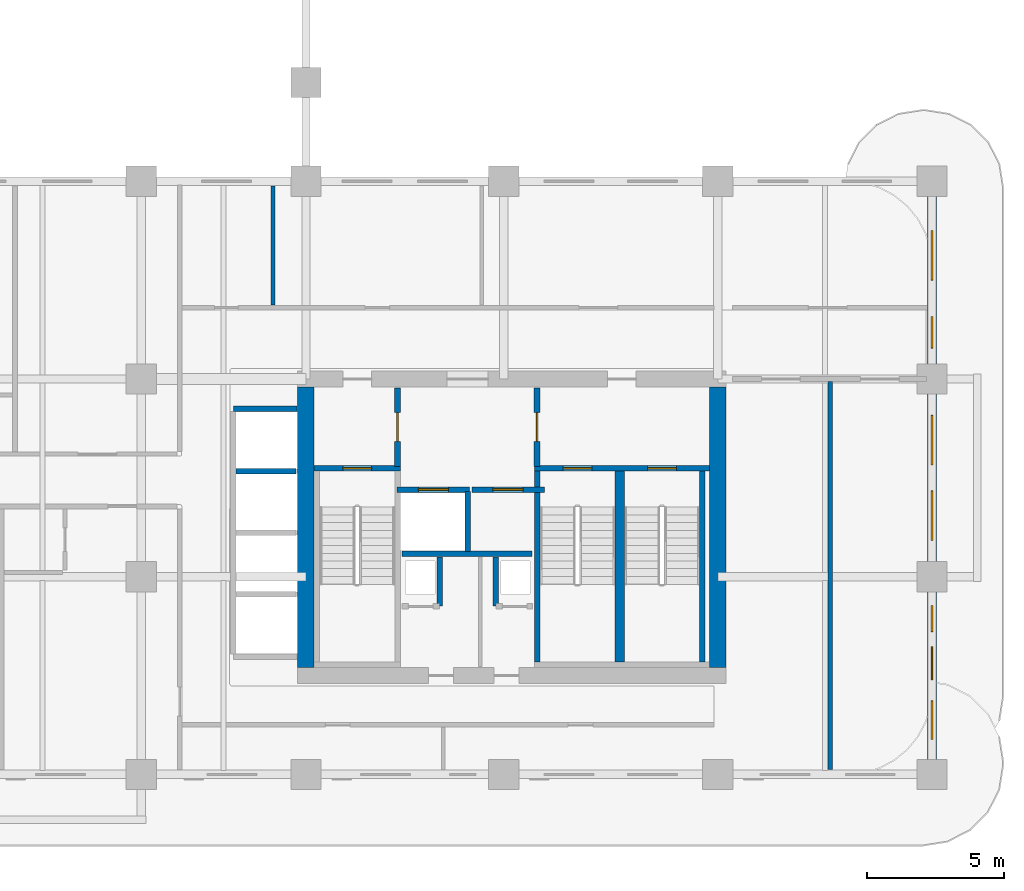
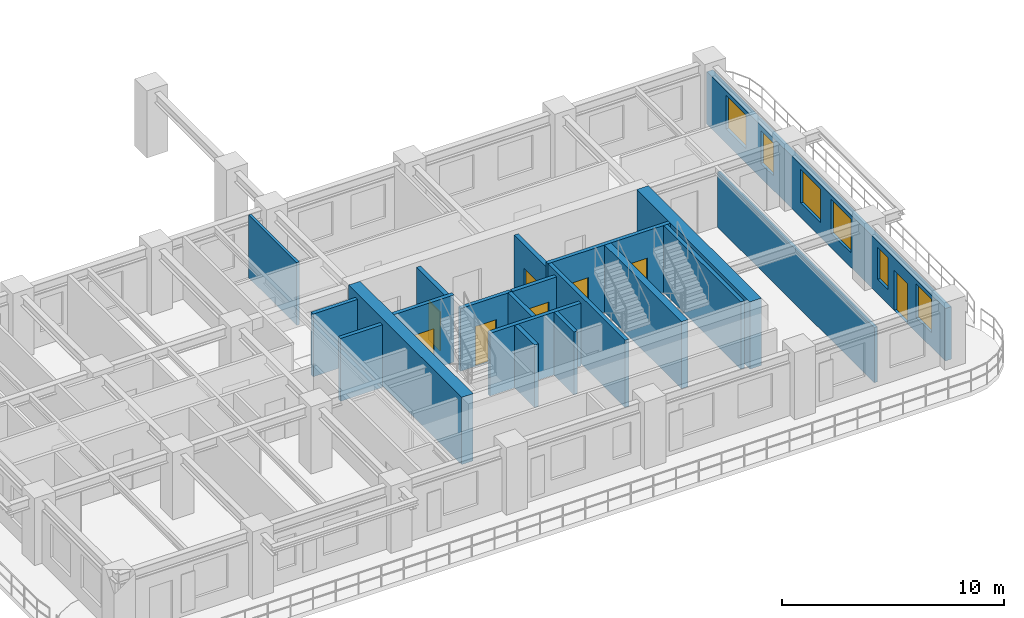
# One storey, part 9 of 19: 20 walls, 8 doors, 6 windows, 14 openings.
"""IFC4 building model written with IfcOpenShell, lengths in metres."""

from ifc_helpers import new_model, si_unit, derived_unit, direction, frame, frame_2d, origin, place, context, subcontext, project, spatial, rectangle, extrude, source, transform, mapped, material, layer, layer_set, type_object, type_shapes, element, fill, save


model = new_model("IFC4")

# Units and contexts
model_context = context("Model", 3, precision=1e-05, world=origin(), true_north=direction((0.0, 1.0)))
body_context = subcontext(model_context, "Body", "Model", "MODEL_VIEW")
ifc_project = project(units=[si_unit("LENGTHUNIT", "METRE"), si_unit("AREAUNIT", "SQUARE_METRE"), si_unit("VOLUMEUNIT", "CUBIC_METRE"), si_unit("PLANEANGLEUNIT", "RADIAN"), si_unit("MASSUNIT", "GRAM", prefix="KILO"), si_unit("THERMODYNAMICTEMPERATUREUNIT", "KELVIN"), si_unit("POWERUNIT", "WATT"), derived_unit("THERMALTRANSMITTANCEUNIT", [(si_unit("POWERUNIT", "WATT"), 1), (si_unit("AREAUNIT", "SQUARE_METRE"), -1), (si_unit("THERMODYNAMICTEMPERATUREUNIT", "KELVIN"), -1)])], contexts=[model_context])

# Site, building, storey
site_placement = place(None, origin())
site = spatial("IfcSite", under=ifc_project, at=site_placement, CompositionType="ELEMENT")
building_placement = place(site_placement, origin())
building = spatial("IfcBuilding", under=site, at=building_placement, Name="Zahravan Archway Hotel and Residences", CompositionType="ELEMENT")
storey_placement = place(building_placement, frame((0.0, 0.0, 39.800048828125)))
storey = spatial("IfcBuildingStorey", under=building, at=storey_placement, Name="L08", CompositionType="ELEMENT", Elevation=39.800048828125)

# Walls
ifc_material_1 = material(Name="Concrete C70/85", Category="concrete")
ifc_layer_1 = layer(ifc_material_1, 0.60009765625, Name="Concrete C70/85", Category="concrete")
ifc_layer_set_1 = layer_set([ifc_layer_1], Name="Concrete C70/85")
wall_type_1 = type_object("IfcWallType", Name="CW-CORE-600", PredefinedType="SHEAR", material=ifc_layer_set_1)
for number, where, z_axis, x_axis, name in (
    (1, (34.800048828125, 3.89990234375, 0.0), (0.0, 0.0, 1.0), (0.0, 1.0, 0.0), "L08 Core A Shear W Wall 600 mm"),
    (2, (49.800048828125, 3.89990234375, 0.0), (0.0, 0.0, 1.0), (0.0, 1.0, 0.0), "L08 Core A Shear E Wall 600 mm"),
):
    element("IfcWall", number, at=place(storey_placement, frame(where, z_axis=z_axis, x_axis=x_axis)), inside=storey, type_object=wall_type_1, Name=name, PredefinedType="SHEAR", context=body_context, shape_type="SweptSolid", body=[
        extrude(rectangle(XDim=10.2001953125, YDim=0.60009765625, at=frame_2d((5.10009765625, 0.0))), origin(), (0.0, 0.0, 1.0), 3.699951171875),
    ])

# Wall, openings, door, windows
ifc_material_2 = material(Name="Agra Buff Sandstone & Insulated Backup", Category="masonry")
ifc_layer_2 = layer(ifc_material_2, 0.320068359375, Name="Agra Buff Sandstone & Insulated Backup", Category="masonry")
ifc_layer_set_2 = layer_set([ifc_layer_2], Name="Agra Buff Sandstone & Insulated Backup")
wall_type_2 = type_object("IfcWallType", Name="EW-SAND-320", PredefinedType="SOLIDWALL", material=ifc_layer_set_2)
wall_1_placement = place(storey_placement, frame((57.60009765625, 0.050048828125, 0.0), z_axis=(0.0, 0.0, 1.0), x_axis=(0.0, 1.0, 0.0)))
wall_1 = element("IfcWall", 3, at=wall_1_placement, inside=storey, type_object=wall_type_2, Name="L08 Exterior Sandstone Wall WA-E", PredefinedType="SOLIDWALL", context=body_context, shape_type="SweptSolid", body=[
    extrude(rectangle(XDim=21.5, YDim=0.320068359375, at=frame_2d((10.75, 0.0))), origin(), (0.0, 0.0, 1.0), 2.885009765625),
])
opening_1_placement = place(wall_1_placement, frame((3.39990234375, 0.0, 0.0)))
opening_1 = element("IfcOpeningElement", 4, at=opening_1_placement, cuts=wall_1, Name="Opening ED-BL1", PredefinedType="OPENING", context=body_context, shape_type="SweptSolid", body=[
    extrude(rectangle(XDim=1.199951171875, YDim=2.199951171875, at=frame_2d((0.60009765625, 1.10009765625))), frame((0.0, 0.169921875, 0.0), z_axis=(0.0, -1.0, 0.0), x_axis=(1.0, 0.0, 0.0)), (0.0, 0.0, 1.0), 0.340087890625),
])
opening_2_placement = place(wall_1_placement, frame((1.22509765625, 0.0, 0.800048828125)))
opening_2 = element("IfcOpeningElement", 5, at=opening_2_placement, cuts=wall_1, Name="Opening W-03", PredefinedType="OPENING", context=body_context, shape_type="SweptSolid", body=[
    extrude(rectangle(XDim=1.39990234375, YDim=1.85009765625, at=frame_2d((0.699951171875, 0.925048828125))), frame((0.0, 0.169921875, 0.0), z_axis=(0.0, -1.0, 0.0), x_axis=(1.0, 0.0, 0.0)), (0.0, 0.0, 1.0), 0.340087890625),
])
opening_3_placement = place(wall_1_placement, frame((5.14990234375, 0.0, 0.800048828125)))
opening_3 = element("IfcOpeningElement", 6, at=opening_3_placement, cuts=wall_1, Name="Opening W-04", PredefinedType="OPENING", context=body_context, shape_type="SweptSolid", body=[
    extrude(rectangle(XDim=0.949951171875, YDim=1.75, at=frame_2d((0.47509765625, 0.875))), frame((0.0, 0.169921875, 0.0), z_axis=(0.0, -1.0, 0.0), x_axis=(1.0, 0.0, 0.0)), (0.0, 0.0, 1.0), 0.340087890625),
])
opening_4_placement = place(wall_1_placement, frame((8.47509765625, 0.0, 0.800048828125)))
opening_4 = element("IfcOpeningElement", 7, at=opening_4_placement, cuts=wall_1, Name="Opening W-02", PredefinedType="OPENING", context=body_context, shape_type="SweptSolid", body=[
    extrude(rectangle(XDim=1.800048828125, YDim=1.85009765625, at=frame_2d((0.89990234375, 0.925048828125))), frame((0.0, 0.169921875, 0.0), z_axis=(0.0, -1.0, 0.0), x_axis=(1.0, 0.0, 0.0)), (0.0, 0.0, 1.0), 0.340087890625),
])
opening_5_placement = place(wall_1_placement, frame((11.22509765625, 0.0, 0.800048828125)))
opening_5 = element("IfcOpeningElement", 8, at=opening_5_placement, cuts=wall_1, Name="Opening W-02", PredefinedType="OPENING", context=body_context, shape_type="SweptSolid", body=[
    extrude(rectangle(XDim=1.800048828125, YDim=1.85009765625, at=frame_2d((0.89990234375, 0.925048828125))), frame((0.0, 0.169921875, 0.0), z_axis=(0.0, -1.0, 0.0), x_axis=(1.0, 0.0, 0.0)), (0.0, 0.0, 1.0), 0.340087890625),
])
opening_6_placement = place(wall_1_placement, frame((15.470947265625, 0.0, 0.800048828125)))
opening_6 = element("IfcOpeningElement", 9, at=opening_6_placement, cuts=wall_1, Name="Opening W-05", PredefinedType="OPENING", context=body_context, shape_type="SweptSolid", body=[
    extrude(rectangle(XDim=1.14990234375, YDim=1.800048828125, at=frame_2d((0.574951171875, 0.89990234375))), frame((0.0, 0.169921875, 0.0), z_axis=(0.0, -1.0, 0.0), x_axis=(1.0, 0.0, 0.0)), (0.0, 0.0, 1.0), 0.340087890625),
])
opening_7_placement = place(wall_1_placement, frame((17.9541015625, 0.0, 0.800048828125)))
opening_7 = element("IfcOpeningElement", 10, at=opening_7_placement, cuts=wall_1, Name="Opening W-02", PredefinedType="OPENING", context=body_context, shape_type="SweptSolid", body=[
    extrude(rectangle(XDim=1.800048828125, YDim=1.85009765625, at=frame_2d((0.89990234375, 0.925048828125))), frame((0.0, 0.169921875, 0.0), z_axis=(0.0, -1.0, 0.0), x_axis=(1.0, 0.0, 0.0)), (0.0, 0.0, 1.0), 0.340087890625),
])
ifc_material_3 = material(Name="Bronze-Anodized Glazed Aluminium", Category="aluminium")
door_type_1 = type_object("IfcDoorType", Name="ED-BALC-1200", OperationType="SLIDING_TO_LEFT", PredefinedType="DOOR", material=ifc_material_3)
shared_shape_1 = source(origin(), body_context, "Body", "SweptSolid", [
    extrude(rectangle(XDim=1.199951171875, YDim=2.199951171875, at=frame_2d((0.60009765625, 1.10009765625))), frame((0.0, 0.02490234375, 0.0), z_axis=(0.0, -1.0, 0.0), x_axis=(1.0, 0.0, 0.0)), (0.0, 0.0, 1.0), 0.050048828125),
])
type_shapes(door_type_1, [shared_shape_1])
door_1_placement = place(opening_1_placement, origin())
door_1 = element("IfcDoor", 11, at=door_1_placement, inside=storey, type_object=door_type_1, Name="L08 Outdoor Access Sliding Door (SLB-BAL-L08-EA)", OperationType="SLIDING_TO_LEFT", OverallHeight=2.199951171875, OverallWidth=1.199951171875, PredefinedType="DOOR", context=body_context, shape_type="MappedRepresentation", body=[
    mapped(shared_shape_1, transform((0.0, 0.0, 0.0), scale=1.0)),
])
fill(opening_1, door_1)
ifc_material_4 = material(Name="Bronze-Anodized Thermal-Break Aluminium & Low-E Glass", Category="aluminium")
window_type_1 = type_object("IfcWindowType", Name="WIN-TWR-1400", PartitioningType="SINGLE_PANEL", PredefinedType="WINDOW", material=ifc_material_4)
shared_shape_2 = source(origin(), body_context, "Body", "SweptSolid", [
    extrude(rectangle(XDim=1.39990234375, YDim=1.85009765625, at=frame_2d((0.699951171875, 0.925048828125))), frame((0.0, 0.030029296875, 0.0), z_axis=(0.0, -1.0, 0.0), x_axis=(1.0, 0.0, 0.0)), (0.0, 0.0, 1.0), 0.06005859375),
])
type_shapes(window_type_1, [shared_shape_2])
window_1_placement = place(opening_2_placement, origin())
window_1 = element("IfcWindow", 12, at=window_1_placement, inside=storey, type_object=window_type_1, Name="L08 Loggia Window 11", OverallHeight=1.85009765625, OverallWidth=1.39990234375, PartitioningType="SINGLE_PANEL", PredefinedType="WINDOW", context=body_context, shape_type="MappedRepresentation", body=[
    mapped(shared_shape_2, transform((0.0, 0.0, 0.0), scale=1.0)),
])
fill(opening_2, window_1)
window_type_2 = type_object("IfcWindowType", Name="WIN-NAR-950", PartitioningType="SINGLE_PANEL", PredefinedType="WINDOW", material=ifc_material_4)
shared_shape_3 = source(origin(), body_context, "Body", "SweptSolid", [
    extrude(rectangle(XDim=0.949951171875, YDim=1.75, at=frame_2d((0.47509765625, 0.875))), frame((0.0, 0.030029296875, 0.0), z_axis=(0.0, -1.0, 0.0), x_axis=(1.0, 0.0, 0.0)), (0.0, 0.0, 1.0), 0.06005859375),
])
type_shapes(window_type_2, [shared_shape_3])
window_2_placement = place(opening_3_placement, origin())
window_2 = element("IfcWindow", 13, at=window_2_placement, inside=storey, type_object=window_type_2, Name="L08 Loggia Window 12", OverallHeight=1.75, OverallWidth=0.949951171875, PartitioningType="SINGLE_PANEL", PredefinedType="WINDOW", context=body_context, shape_type="MappedRepresentation", body=[
    mapped(shared_shape_3, transform((0.0, 0.0, 0.0), scale=1.0)),
])
fill(opening_3, window_2)
window_type_3 = type_object("IfcWindowType", Name="WIN-TWR-1800", PartitioningType="DOUBLE_PANEL_VERTICAL", PredefinedType="WINDOW", material=ifc_material_4)
shared_shape_4 = source(origin(), body_context, "Body", "SweptSolid", [
    extrude(rectangle(XDim=1.800048828125, YDim=1.85009765625, at=frame_2d((0.89990234375, 0.925048828125))), frame((0.0, 0.030029296875, 0.0), z_axis=(0.0, -1.0, 0.0), x_axis=(1.0, 0.0, 0.0)), (0.0, 0.0, 1.0), 0.06005859375),
])
type_shapes(window_type_3, [shared_shape_4])
window_3_placement = place(opening_4_placement, origin())
window_3 = element("IfcWindow", 14, at=window_3_placement, inside=storey, type_object=window_type_3, Name="L08 Loggia Window 13", OverallHeight=1.85009765625, OverallWidth=1.800048828125, PartitioningType="DOUBLE_PANEL_VERTICAL", PredefinedType="WINDOW", context=body_context, shape_type="MappedRepresentation", body=[
    mapped(shared_shape_4, transform((0.0, 0.0, 0.0), scale=1.0)),
])
fill(opening_4, window_3)
window_4_placement = place(opening_5_placement, origin())
window_4 = element("IfcWindow", 15, at=window_4_placement, inside=storey, type_object=window_type_3, Name="L08 Loggia Window 14", OverallHeight=1.85009765625, OverallWidth=1.800048828125, PartitioningType="DOUBLE_PANEL_VERTICAL", PredefinedType="WINDOW", context=body_context, shape_type="MappedRepresentation", body=[
    mapped(shared_shape_4, transform((0.0, 0.0, 0.0), scale=1.0)),
])
fill(opening_5, window_4)
window_5_placement = place(opening_7_placement, origin())
window_5 = element("IfcWindow", 16, at=window_5_placement, inside=storey, type_object=window_type_3, Name="L08 Loggia Window 16", OverallHeight=1.85009765625, OverallWidth=1.800048828125, PartitioningType="DOUBLE_PANEL_VERTICAL", PredefinedType="WINDOW", context=body_context, shape_type="MappedRepresentation", body=[
    mapped(shared_shape_4, transform((0.0, 0.0, 0.0), scale=1.0)),
])
fill(opening_7, window_5)
window_type_4 = type_object("IfcWindowType", Name="WIN-TWR-1150", PartitioningType="SINGLE_PANEL", PredefinedType="WINDOW", material=ifc_material_4)
shared_shape_5 = source(origin(), body_context, "Body", "SweptSolid", [
    extrude(rectangle(XDim=1.14990234375, YDim=1.800048828125, at=frame_2d((0.574951171875, 0.89990234375))), frame((0.0, 0.030029296875, 0.0), z_axis=(0.0, -1.0, 0.0), x_axis=(1.0, 0.0, 0.0)), (0.0, 0.0, 1.0), 0.06005859375),
])
type_shapes(window_type_4, [shared_shape_5])
window_6_placement = place(opening_6_placement, origin())
window_6 = element("IfcWindow", 17, at=window_6_placement, inside=storey, type_object=window_type_4, Name="L08 Loggia Window 15", OverallHeight=1.800048828125, OverallWidth=1.14990234375, PartitioningType="SINGLE_PANEL", PredefinedType="WINDOW", context=body_context, shape_type="MappedRepresentation", body=[
    mapped(shared_shape_5, transform((0.0, 0.0, 0.0), scale=1.0)),
])
fill(opening_6, window_6)

# Wall, opening, door
ifc_material_5 = material(Name="Fire-Rated Gypsum & Concrete Block", Category="concrete")
ifc_layer_3 = layer(ifc_material_5, 0.219970703125, Name="Fire-Rated Gypsum & Concrete Block", Category="concrete")
ifc_layer_set_3 = layer_set([ifc_layer_3], Name="Fire-Rated Gypsum & Concrete Block")
wall_type_3 = type_object("IfcWallType", Name="PW-COMP-220", PredefinedType="PARTITIONING", material=ifc_layer_set_3)
wall_2_placement = place(storey_placement, frame((38.139892578125, 11.219970703125, 0.0), z_axis=(0.0, 0.0, 1.0), x_axis=(0.0, 1.0, 0.0)))
wall_2 = element("IfcWall", 18, at=wall_2_placement, inside=storey, type_object=wall_type_3, Name="L08 Partition CA-LOBW", PredefinedType="PARTITIONING", context=body_context, shape_type="SweptSolid", body=[
    extrude(rectangle(XDim=2.860107421875, YDim=0.219970703125, at=frame_2d((1.43017578125, 0.0))), origin(), (0.0, 0.0, 1.0), 3.449951171875),
])
opening_8_placement = place(wall_2_placement, frame((0.905029296875, 0.0, 0.0)))
opening_8 = element("IfcOpeningElement", 19, at=opening_8_placement, cuts=wall_2, Name="Opening FD-L2", PredefinedType="OPENING", context=body_context, shape_type="SweptSolid", body=[
    extrude(rectangle(XDim=1.050048828125, YDim=2.14990234375, at=frame_2d((0.52490234375, 1.074951171875))), frame((0.0, 0.1201171875, 0.0), z_axis=(0.0, -1.0, 0.0), x_axis=(1.0, 0.0, 0.0)), (0.0, 0.0, 1.0), 0.239990234375),
])
ifc_material_6 = material(Name="Fire-Rated Painted Steel", Category="steel")
door_type_2 = type_object("IfcDoorType", Name="FD-LOBBY-1100", OperationType="NOTDEFINED", PredefinedType="DOOR", material=ifc_material_6)
shared_shape_6 = source(origin(), body_context, "Body", "SweptSolid", [
    extrude(rectangle(XDim=1.050048828125, YDim=2.14990234375, at=frame_2d((0.52490234375, 1.074951171875))), frame((0.0, 0.02490234375, 0.0), z_axis=(0.0, -1.0, 0.0), x_axis=(1.0, 0.0, 0.0)), (0.0, 0.0, 1.0), 0.050048828125),
])
type_shapes(door_type_2, [shared_shape_6])
door_2_placement = place(opening_8_placement, origin())
door_2 = element("IfcDoor", 20, at=door_2_placement, inside=storey, type_object=door_type_2, Name="L08 Core A West Stair to FSAE Lobby Door", OperationType="SINGLE_SWING_RIGHT", OverallHeight=2.14990234375, OverallWidth=1.050048828125, PredefinedType="DOOR", context=body_context, shape_type="MappedRepresentation", body=[
    mapped(shared_shape_6, transform((0.0, 0.0, 0.0), scale=1.0)),
])
fill(opening_8, door_2)

wall_3_placement = place(storey_placement, frame((43.219970703125, 11.219970703125, 0.0), z_axis=(0.0, 0.0, 1.0), x_axis=(0.0, 1.0, 0.0)))
wall_3 = element("IfcWall", 21, at=wall_3_placement, inside=storey, type_object=wall_type_3, Name="L08 Partition CA-LOBE", PredefinedType="PARTITIONING", context=body_context, shape_type="SweptSolid", body=[
    extrude(rectangle(XDim=2.860107421875, YDim=0.219970703125, at=frame_2d((1.43017578125, 0.0))), origin(), (0.0, 0.0, 1.0), 3.449951171875),
])
opening_9_placement = place(wall_3_placement, frame((0.905029296875, 0.0, 0.0)))
opening_9 = element("IfcOpeningElement", 22, at=opening_9_placement, cuts=wall_3, Name="Opening FD-L2", PredefinedType="OPENING", context=body_context, shape_type="SweptSolid", body=[
    extrude(rectangle(XDim=1.050048828125, YDim=2.14990234375, at=frame_2d((0.52490234375, 1.074951171875))), frame((0.0, 0.1201171875, 0.0), z_axis=(0.0, -1.0, 0.0), x_axis=(1.0, 0.0, 0.0)), (0.0, 0.0, 1.0), 0.239990234375),
])
door_3_placement = place(opening_9_placement, origin())
door_3 = element("IfcDoor", 23, at=door_3_placement, inside=storey, type_object=door_type_2, Name="L08 Core A East Stair to FSAE Lobby Door", OperationType="SINGLE_SWING_LEFT", OverallHeight=2.14990234375, OverallWidth=1.050048828125, PredefinedType="DOOR", context=body_context, shape_type="MappedRepresentation", body=[
    mapped(shared_shape_6, transform((0.0, 0.0, 0.0), scale=1.0)),
])
fill(opening_9, door_3)

# Walls
ifc_layer_4 = layer(ifc_material_5, 0.199951171875, Name="Fire-Rated Gypsum & Concrete Block", Category="concrete")
ifc_layer_set_4 = layer_set([ifc_layer_4], Name="Fire-Rated Gypsum & Concrete Block")
wall_type_4 = type_object("IfcWallType", Name="PW-SHAFT-200", PredefinedType="PARTITIONING", material=ifc_layer_set_4)
wall_4_placement = place(storey_placement, frame((38.300048828125, 8.030029296875, 0.0), z_axis=(0.0, 0.0, 1.0), x_axis=(1.0, 0.0, 0.0)))
element("IfcWall", 24, at=wall_4_placement, inside=storey, type_object=wall_type_4, Name="L08 Partition CA-FLS", PredefinedType="PARTITIONING", context=body_context, shape_type="SweptSolid", body=[
    extrude(rectangle(XDim=4.739990234375, YDim=0.199951171875, at=frame_2d((2.3701171875, 0.0))), origin(), (0.0, 0.0, 1.0), 3.449951171875),
])
wall_5_placement = place(storey_placement, frame((40.699951171875, 8.1201171875, 0.0), z_axis=(0.0, 0.0, 1.0), x_axis=(0.0, 1.0, 0.0)))
element("IfcWall", 25, at=wall_5_placement, inside=storey, type_object=wall_type_4, Name="L08 Partition CA-FLM", PredefinedType="PARTITIONING", context=body_context, shape_type="SweptSolid", body=[
    extrude(rectangle(XDim=2.179931640625, YDim=0.199951171875, at=frame_2d((1.08984375, 0.0))), origin(), (0.0, 0.0, 1.0), 3.449951171875),
])
for number, where, z_axis, x_axis, name in (
    (26, (39.679931640625, 6.1298828125, 0.0), (0.0, 0.0, 1.0), (0.0, 1.0, 0.0), "L08 Partition CA-SMKE"),
    (27, (41.719970703125, 6.1298828125, 0.0), (0.0, 0.0, 1.0), (0.0, 1.0, 0.0), "L08 Partition CA-MEPW"),
):
    element("IfcWall", number, at=place(storey_placement, frame(where, z_axis=z_axis, x_axis=x_axis)), inside=storey, type_object=wall_type_4, Name=name, PredefinedType="PARTITIONING", context=body_context, shape_type="SweptSolid", body=[
        extrude(rectangle(XDim=1.7900390625, YDim=0.199951171875, at=frame_2d((0.89501953125, 0.0))), origin(), (0.0, 0.0, 1.0), 3.449951171875),
    ])
wall_6_placement = place(storey_placement, frame((32.159912109375, 13.320068359375, 0.0), z_axis=(0.0, 0.0, 1.0), x_axis=(1.0, 0.0, 0.0)))
element("IfcWall", 28, at=wall_6_placement, inside=storey, type_object=wall_type_4, Name="L08 Partition B3-N", PredefinedType="PARTITIONING", context=body_context, shape_type="SweptSolid", body=[
    extrude(rectangle(XDim=2.31005859375, YDim=0.199951171875, at=frame_2d((1.155029296875, 0.0))), origin(), (0.0, 0.0, 1.0), 3.449951171875),
])
wall_7_placement = place(storey_placement, frame((32.260009765625, 11.0400390625, 0.0), z_axis=(0.0, 0.0, 1.0), x_axis=(1.0, 0.0, 0.0)))
element("IfcWall", 29, at=wall_7_placement, inside=storey, type_object=wall_type_4, Name="L08 Partition B3-D", PredefinedType="PARTITIONING", context=body_context, shape_type="SweptSolid", body=[
    extrude(rectangle(XDim=2.179931640625, YDim=0.199951171875, at=frame_2d((1.08984375, 0.0))), origin(), (0.0, 0.0, 1.0), 3.449951171875),
])

# Wall, opening, door
wall_8_placement = place(storey_placement, frame((38.1201171875, 10.3701171875, 0.0), z_axis=(0.0, 0.0, 1.0), x_axis=(1.0, 0.0, 0.0)))
wall_8 = element("IfcWall", 30, at=wall_8_placement, inside=storey, type_object=wall_type_4, Name="L08 Lift FL-1 Front Wall", PredefinedType="PARTITIONING", context=body_context, shape_type="SweptSolid", body=[
    extrude(rectangle(XDim=2.639892578125, YDim=0.199951171875, at=frame_2d((1.31982421875, 0.0))), origin(), (0.0, 0.0, 1.0), 3.449951171875),
])
opening_10_placement = place(wall_8_placement, frame((0.77001953125, 0.0, 0.0)))
opening_10 = element("IfcOpeningElement", 31, at=opening_10_placement, cuts=wall_8, Name="Opening LD", PredefinedType="OPENING", context=body_context, shape_type="SweptSolid", body=[
    extrude(rectangle(XDim=1.10009765625, YDim=2.199951171875, at=frame_2d((0.550048828125, 1.10009765625))), frame((0.0, 0.10986328125, 0.0), z_axis=(0.0, -1.0, 0.0), x_axis=(1.0, 0.0, 0.0)), (0.0, 0.0, 1.0), 0.219970703125),
])
ifc_material_7 = material(Name="Brushed Stainless Steel", Category="steel")
door_type_3 = type_object("IfcDoorType", Name="DR-LIFT-LD", OperationType="SLIDING_TO_LEFT", PredefinedType="DOOR", material=ifc_material_7)
shared_shape_7 = source(origin(), body_context, "Body", "SweptSolid", [
    extrude(rectangle(XDim=1.10009765625, YDim=2.199951171875, at=frame_2d((0.550048828125, 1.10009765625))), frame((0.0, 0.02490234375, 0.0), z_axis=(0.0, -1.0, 0.0), x_axis=(1.0, 0.0, 0.0)), (0.0, 0.0, 1.0), 0.050048828125),
])
type_shapes(door_type_3, [shared_shape_7])
door_4_placement = place(opening_10_placement, origin())
door_4 = element("IfcDoor", 32, at=door_4_placement, inside=storey, type_object=door_type_3, Name="L08 Lift FL-1 Sliding Landing Door", OperationType="SLIDING_TO_LEFT", OverallHeight=2.199951171875, OverallWidth=1.10009765625, PredefinedType="DOOR", context=body_context, shape_type="MappedRepresentation", body=[
    mapped(shared_shape_7, transform((0.0, 0.0, 0.0), scale=1.0)),
])
fill(opening_10, door_4)

wall_9_placement = place(storey_placement, frame((40.840087890625, 10.3701171875, 0.0), z_axis=(0.0, 0.0, 1.0), x_axis=(1.0, 0.0, 0.0)))
wall_9 = element("IfcWall", 33, at=wall_9_placement, inside=storey, type_object=wall_type_4, Name="L08 Lift FL-2 Front Wall", PredefinedType="PARTITIONING", context=body_context, shape_type="SweptSolid", body=[
    extrude(rectangle(XDim=2.639892578125, YDim=0.199951171875, at=frame_2d((1.31982421875, 0.0))), origin(), (0.0, 0.0, 1.0), 3.449951171875),
])
opening_11_placement = place(wall_9_placement, frame((0.77001953125, 0.0, 0.0)))
opening_11 = element("IfcOpeningElement", 34, at=opening_11_placement, cuts=wall_9, Name="Opening LD", PredefinedType="OPENING", context=body_context, shape_type="SweptSolid", body=[
    extrude(rectangle(XDim=1.10009765625, YDim=2.199951171875, at=frame_2d((0.550048828125, 1.10009765625))), frame((0.0, 0.10986328125, 0.0), z_axis=(0.0, -1.0, 0.0), x_axis=(1.0, 0.0, 0.0)), (0.0, 0.0, 1.0), 0.219970703125),
])
door_5_placement = place(opening_11_placement, origin())
door_5 = element("IfcDoor", 35, at=door_5_placement, inside=storey, type_object=door_type_3, Name="L08 Lift FL-2 Sliding Landing Door", OperationType="SLIDING_TO_LEFT", OverallHeight=2.199951171875, OverallWidth=1.10009765625, PredefinedType="DOOR", context=body_context, shape_type="MappedRepresentation", body=[
    mapped(shared_shape_7, transform((0.0, 0.0, 0.0), scale=1.0)),
])
fill(opening_11, door_5)

# Walls
ifc_material_8 = material(Name="Acoustic Stud Partition")
ifc_layer_5 = layer(ifc_material_8, 0.169921875, Name="Acoustic Stud Partition")
ifc_layer_set_5 = layer_set([ifc_layer_5], Name="Acoustic Stud Partition")
wall_type_5 = type_object("IfcWallType", Name="PW-UNIT-170", PredefinedType="PARTITIONING", material=ifc_layer_set_5)
wall_10_placement = place(storey_placement, frame((53.89990234375, 0.16796875, 0.0), z_axis=(0.0, 0.0, 1.0), x_axis=(0.0, 1.0, 0.0)))
element("IfcWall", 36, at=wall_10_placement, inside=storey, type_object=wall_type_5, Name="L08 Partition EA-EV", PredefinedType="PARTITIONING", context=body_context, shape_type="SweptSolid", body=[
    extrude(rectangle(XDim=14.14208984375, YDim=0.169921875, at=frame_2d((7.071044921875, 0.0))), origin(), (0.0, 0.0, 1.0), 3.034912109375),
])
ifc_material_9 = material(Name="Moisture-Resistant Blockwork", Category="masonry")
ifc_layer_6 = layer(ifc_material_9, 0.139892578125, Name="Moisture-Resistant Blockwork", Category="masonry")
ifc_layer_set_6 = layer_set([ifc_layer_6], Name="Moisture-Resistant Blockwork")
wall_type_6 = type_object("IfcWallType", Name="PW-WET-140", PredefinedType="PARTITIONING", material=ifc_layer_set_6)
wall_11_placement = place(storey_placement, frame((33.60009765625, 17.090087890625, 0.0), z_axis=(0.0, 0.0, 1.0), x_axis=(0.0, 1.0, 0.0)))
element("IfcWall", 37, at=wall_11_placement, inside=storey, type_object=wall_type_6, Name="L08 Partition NE0-1", PredefinedType="PARTITIONING", context=body_context, shape_type="SweptSolid", body=[
    extrude(rectangle(XDim=4.341796875, YDim=0.139892578125, at=frame_2d((2.1708984375, 0.0))), origin(), (0.0, 0.0, 1.0), 3.449951171875),
])

# Wall, opening, door
ifc_material_10 = material(Name="Concrete C50/60", Category="concrete")
ifc_layer_7 = layer(ifc_material_10, 0.199951171875, Name="Concrete C50/60", Category="concrete")
ifc_layer_set_7 = layer_set([ifc_layer_7], Name="Concrete C50/60")
wall_type_7 = type_object("IfcWallType", Name="SW-STAIR-200", PredefinedType="SHEAR", material=ifc_layer_set_7)
wall_12_placement = place(storey_placement, frame((35.10009765625, 11.14990234375, 0.0), z_axis=(0.0, 0.0, 1.0), x_axis=(1.0, 0.0, 0.0)))
wall_12 = element("IfcWall", 38, at=wall_12_placement, inside=storey, type_object=wall_type_7, Name="L08 Stairwell RC Wall CA-SA1N", PredefinedType="SHEAR", context=body_context, shape_type="SweptSolid", body=[
    extrude(rectangle(XDim=3.139892578125, YDim=0.199951171875, at=frame_2d((1.56982421875, 0.0))), origin(), (0.0, 0.0, 1.0), 3.699951171875),
])
opening_12_placement = place(wall_12_placement, frame((1.044921875, 0.0, 0.0)))
opening_12 = element("IfcOpeningElement", 39, at=opening_12_placement, cuts=wall_12, Name="Opening FD-S1", PredefinedType="OPENING", context=body_context, shape_type="SweptSolid", body=[
    extrude(rectangle(XDim=1.050048828125, YDim=2.199951171875, at=frame_2d((0.52490234375, 1.10009765625))), frame((0.0, 0.10986328125, 0.0), z_axis=(0.0, -1.0, 0.0), x_axis=(1.0, 0.0, 0.0)), (0.0, 0.0, 1.0), 0.219970703125),
])
door_type_4 = type_object("IfcDoorType", Name="FD-STAIR-1100", OperationType="NOTDEFINED", PredefinedType="DOOR", material=ifc_material_6)
shared_shape_8 = source(origin(), body_context, "Body", "SweptSolid", [
    extrude(rectangle(XDim=1.050048828125, YDim=2.199951171875, at=frame_2d((0.52490234375, 1.10009765625))), frame((0.0, 0.02490234375, 0.0), z_axis=(0.0, -1.0, 0.0), x_axis=(1.0, 0.0, 0.0)), (0.0, 0.0, 1.0), 0.050048828125),
])
type_shapes(door_type_4, [shared_shape_8])
door_6_placement = place(opening_12_placement, origin())
door_6 = element("IfcDoor", 40, at=door_6_placement, inside=storey, type_object=door_type_4, Name="L08 Stair ST-A1 Door", OperationType="SINGLE_SWING_LEFT", OverallHeight=2.199951171875, OverallWidth=1.050048828125, PredefinedType="DOOR", context=body_context, shape_type="MappedRepresentation", body=[
    mapped(shared_shape_8, transform((0.0, 0.0, 0.0), scale=1.0)),
])
fill(opening_12, door_6)

# Walls
for number, where, z_axis, x_axis, name in (
    (41, (43.219970703125, 4.10009765625, 0.0), (0.0, 0.0, 1.0), (0.0, 1.0, 0.0), "L08 Stairwell RC Wall CA-SA2W"),
    (42, (49.239990234375, 4.10009765625, 0.0), (0.0, 0.0, 1.0), (0.0, 1.0, 0.0), "L08 Stairwell RC Wall CA-SA3E"),
):
    element("IfcWall", number, at=place(storey_placement, frame(where, z_axis=z_axis, x_axis=x_axis)), inside=storey, type_object=wall_type_7, Name=name, PredefinedType="SHEAR", context=body_context, shape_type="SweptSolid", body=[
        extrude(rectangle(XDim=6.949951171875, YDim=0.199951171875, at=frame_2d((3.47509765625, 0.0))), origin(), (0.0, 0.0, 1.0), 3.699951171875),
    ])

# Wall, openings, doors
wall_13_placement = place(storey_placement, frame((43.1201171875, 11.14990234375, 0.0), z_axis=(0.0, 0.0, 1.0), x_axis=(1.0, 0.0, 0.0)))
wall_13 = element("IfcWall", 43, at=wall_13_placement, inside=storey, type_object=wall_type_7, Name="L08 Stairwell RC Wall CA-SA23N", PredefinedType="SHEAR", context=body_context, shape_type="SweptSolid", body=[
    extrude(rectangle(XDim=6.3798828125, YDim=0.199951171875, at=frame_2d((3.18994140625, 0.0))), origin(), (0.0, 0.0, 1.0), 3.699951171875),
])
opening_13_placement = place(wall_13_placement, frame((1.044921875, 0.0, 0.0)))
opening_13 = element("IfcOpeningElement", 44, at=opening_13_placement, cuts=wall_13, Name="Opening FD-S1", PredefinedType="OPENING", context=body_context, shape_type="SweptSolid", body=[
    extrude(rectangle(XDim=1.050048828125, YDim=2.199951171875, at=frame_2d((0.52490234375, 1.10009765625))), frame((0.0, 0.10986328125, 0.0), z_axis=(0.0, -1.0, 0.0), x_axis=(1.0, 0.0, 0.0)), (0.0, 0.0, 1.0), 0.219970703125),
])
opening_14_placement = place(wall_13_placement, frame((4.125, 0.0, 0.0)))
opening_14 = element("IfcOpeningElement", 45, at=opening_14_placement, cuts=wall_13, Name="Opening FD-S1", PredefinedType="OPENING", context=body_context, shape_type="SweptSolid", body=[
    extrude(rectangle(XDim=1.050048828125, YDim=2.199951171875, at=frame_2d((0.52490234375, 1.10009765625))), frame((0.0, 0.10986328125, 0.0), z_axis=(0.0, -1.0, 0.0), x_axis=(1.0, 0.0, 0.0)), (0.0, 0.0, 1.0), 0.219970703125),
])
door_7_placement = place(opening_13_placement, origin())
door_7 = element("IfcDoor", 46, at=door_7_placement, inside=storey, type_object=door_type_4, Name="L08 Stair ST-A2 Door", OperationType="SINGLE_SWING_RIGHT", OverallHeight=2.199951171875, OverallWidth=1.050048828125, PredefinedType="DOOR", context=body_context, shape_type="MappedRepresentation", body=[
    mapped(shared_shape_8, transform((0.0, 0.0, 0.0), scale=1.0)),
])
fill(opening_13, door_7)
door_8_placement = place(opening_14_placement, origin())
door_8 = element("IfcDoor", 47, at=door_8_placement, inside=storey, type_object=door_type_4, Name="L08 Stair ST-A3 Door", OperationType="SINGLE_SWING_LEFT", OverallHeight=2.199951171875, OverallWidth=1.050048828125, PredefinedType="DOOR", context=body_context, shape_type="MappedRepresentation", body=[
    mapped(shared_shape_8, transform((0.0, 0.0, 0.0), scale=1.0)),
])
fill(opening_14, door_8)

# Wall
ifc_layer_8 = layer(ifc_material_10, 0.340087890625, Name="Concrete C50/60", Category="concrete")
ifc_layer_set_8 = layer_set([ifc_layer_8], Name="Concrete C50/60")
wall_type_8 = type_object("IfcWallType", Name="SW-STAIR-340", PredefinedType="SHEAR", material=ifc_layer_set_8)
wall_14_placement = place(storey_placement, frame((46.22998046875, 4.10009765625, 0.0), z_axis=(0.0, 0.0, 1.0), x_axis=(0.0, 1.0, 0.0)))
element("IfcWall", 48, at=wall_14_placement, inside=storey, type_object=wall_type_8, Name="L08 Stairwell RC Wall CA-SA23M", PredefinedType="SHEAR", context=body_context, shape_type="SweptSolid", body=[
    extrude(rectangle(XDim=6.949951171875, YDim=0.340087890625, at=frame_2d((3.47509765625, 0.0))), origin(), (0.0, 0.0, 1.0), 3.699951171875),
])

save(model, "model.ifc")
